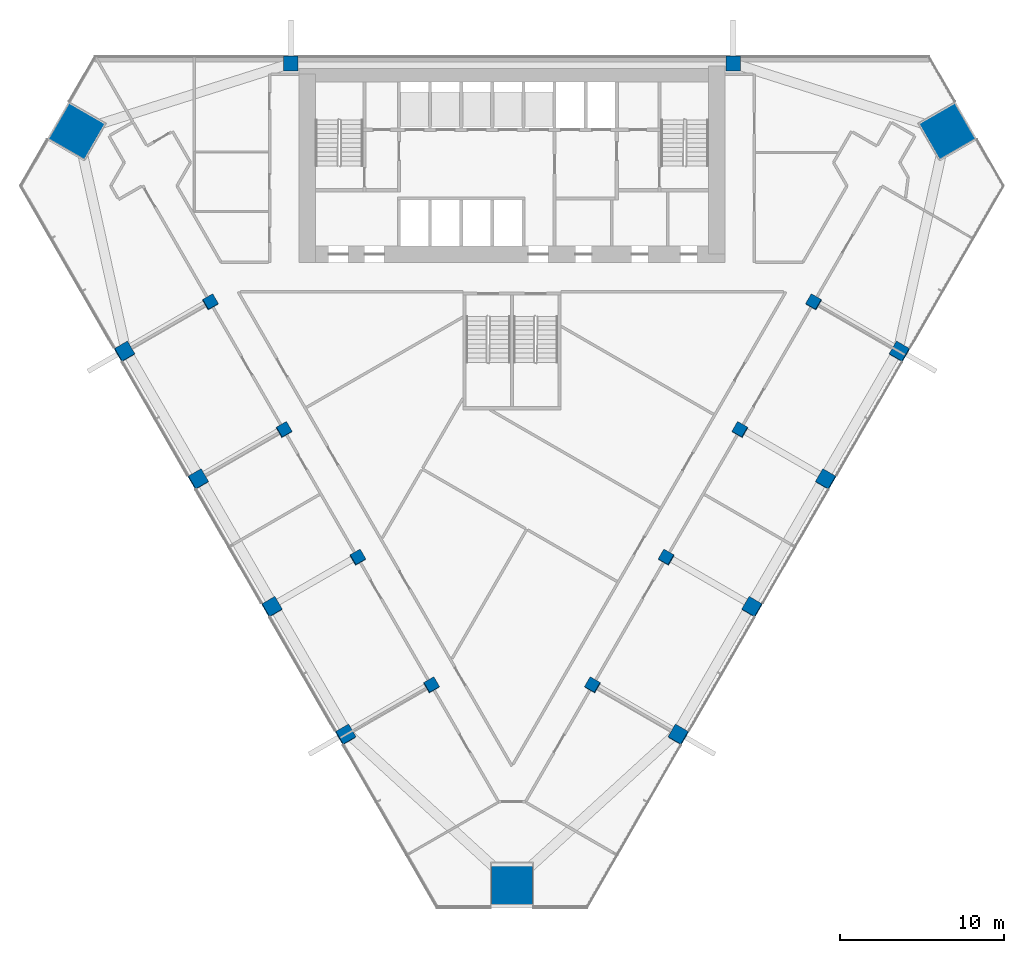
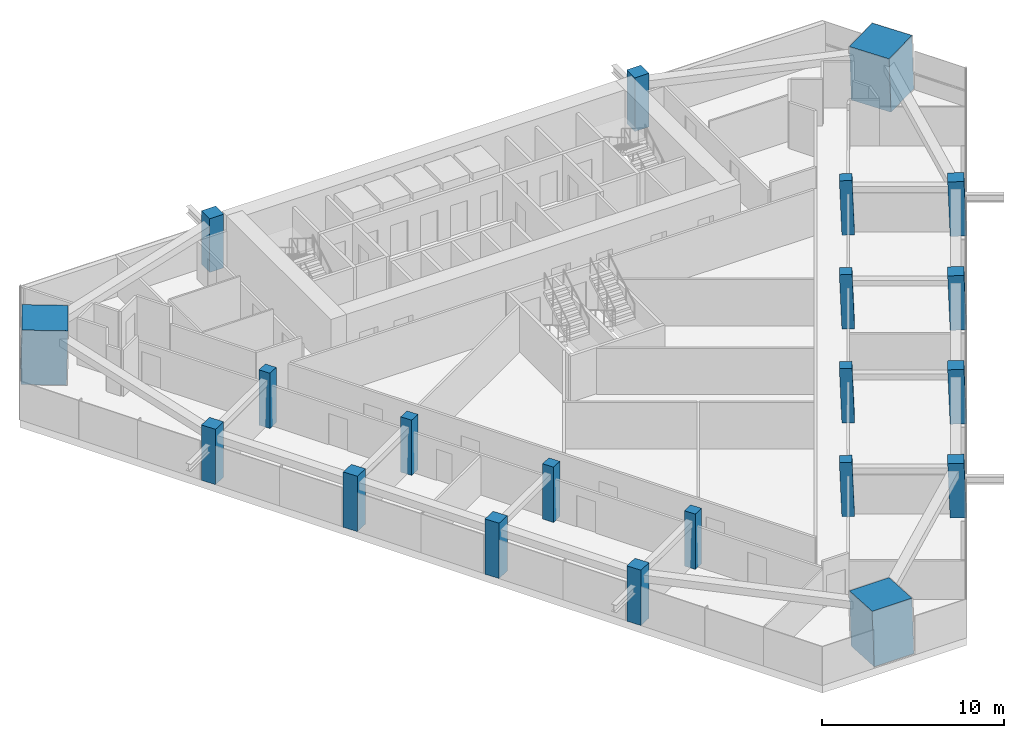
# One storey, part 1 of 13: 21 columns.
"""IFC4 building model written with IfcOpenShell, lengths in metres."""

from ifc_helpers import new_model, si_unit, direction, frame, origin, origin_2d, place, context, subcontext, project, spatial, rectangle, extrude, material, material_profile, profile_set, type_object, element, save


model = new_model("IFC4")

# Units and contexts
model_context = context("Model", 3, precision=1e-05, world=origin(), true_north=direction((0.0, 1.0)))
body_context = subcontext(model_context, "Body", "Model", "MODEL_VIEW")
ifc_project = project(units=[si_unit("LENGTHUNIT", "METRE"), si_unit("AREAUNIT", "SQUARE_METRE"), si_unit("VOLUMEUNIT", "CUBIC_METRE"), si_unit("PLANEANGLEUNIT", "RADIAN"), si_unit("MASSUNIT", "GRAM", prefix="KILO")], contexts=[model_context])

# Site, building, storey
site_placement = place(None, origin())
site = spatial("IfcSite", under=ifc_project, at=site_placement, CompositionType="ELEMENT")
building_placement = place(site_placement, origin())
building = spatial("IfcBuilding", under=site, at=building_placement, Name="Altiplano Prism Tower", CompositionType="ELEMENT")
storey_placement = place(building_placement, frame((0.0, 0.0, 66.60009765625)))
storey = spatial("IfcBuildingStorey", under=building, at=storey_placement, Name="L16", CompositionType="ELEMENT", Elevation=66.60009765625)

# Columns
ifc_material_1 = material(Name="Concrete C60/75", Category="concrete")
ifc_material_profile_1 = material_profile(ifc_material_1, rectangle(XDim=0.699951171875, YDim=0.699951171875, at=origin_2d()), Name="Inner column 700")
ifc_profile_set_1 = profile_set([ifc_material_profile_1], Name="Concrete C60/75")
column_type_1 = type_object("IfcColumnType", Name="Inner column 700", PredefinedType="COLUMN", material=ifc_profile_set_1)
for number, where, z_axis, x_axis, name in (
    (1, (66.572021484375, 89.964599609375, -0.021240234375), (0.022222910879, 0.038415824599, 0.999014697916), (-0.866023990094, -0.498523047361, 0.038434617606), "Inner column I11 L16"),
    (2, (71.072021484375, 82.17041015625, -0.021240234375), (0.022222910879, 0.038415824599, 0.999014697916), (-0.866025559342, -0.498520326662, 0.038434547893), "Inner column I12 L16"),
    (3, (75.572021484375, 74.3759765625, -0.021240234375), (0.022222852987, 0.038483477124, 0.999012095419), (-0.865639369566, -0.499186691601, 0.038485436015), "Inner column I13 L16"),
    (4, (80.072021484375, 66.581787109375, -0.021240234375), (0.022222852987, 0.038483477124, 0.999012095419), (-0.865640923447, -0.499184002329, 0.038485366986), "Inner column I14 L16"),
    (5, (89.927978515625, 66.581787109375, -0.021240234375), (-0.022222852987, 0.038483477124, 0.999012095419), (-0.500171906906, -0.865641007466, 0.022219579978), "Inner column I21 L16"),
    (6, (94.427978515625, 74.3759765625, -0.021240234375), (-0.022222852987, 0.038483477124, 0.999012095419), (-0.500174596178, -0.865639456654, 0.022219460416), "Inner column I22 L16"),
    (7, (98.927978515625, 82.17041015625, -0.021240234375), (-0.022222910879, 0.038415824599, 0.999014697916), (-0.499505628395, -0.866026390086, 0.022190513195), "Inner column I23 L16"),
    (8, (103.427978515625, 89.964599609375, -0.021240234375), (-0.022222910879, 0.038415824599, 0.999014697916), (-0.499508318862, -0.866024841336, 0.022190393791), "Inner column I24 L16"),
):
    element("IfcColumn", number, at=place(storey_placement, frame(where, z_axis=z_axis, x_axis=x_axis)), inside=storey, type_object=column_type_1, Name=name, PredefinedType="COLUMN", context=body_context, shape_type="SweptSolid", body=[
        extrude(rectangle(XDim=0.699951171875, YDim=0.699951171875, at=origin_2d()), origin(), (0.0, 0.0, 1.0), 3.603515625),
    ])
ifc_material_2 = material(Name="Concrete C70/85", Category="concrete")
ifc_material_profile_2 = material_profile(ifc_material_2, rectangle(XDim=2.52001953125, YDim=2.52001953125, at=origin_2d()), Name="Mega column infill 2600")
ifc_profile_set_2 = profile_set([ifc_material_profile_2], Name="Concrete C70/85")
column_type_2 = type_object("IfcColumnType", Name="Mega column infill 2600", PredefinedType="COLUMN", material=ifc_profile_set_2)
column_1_placement = place(storey_placement, frame((58.37744140625, 100.386474609375, 0.0), z_axis=(0.028403721265, 0.009287135593, 0.999553389135), x_axis=(-0.866201912335, 0.499294738625, 0.019975260907)))
element("IfcColumn", 9, at=column_1_placement, inside=storey, type_object=column_type_2, Name="Mega column M0 L16", PredefinedType="COLUMN", context=body_context, shape_type="SweptSolid", body=[
    extrude(rectangle(XDim=2.52001953125, YDim=2.52001953125, at=origin_2d()), origin(), (0.0, 0.0, 1.0), 3.6015625),
])
column_2_placement = place(storey_placement, frame((85.0, 54.275146484375, 0.0), z_axis=(0.0, 0.058293378456, 0.998299495156), x_axis=(-1.0, 0.0, 0.0)))
element("IfcColumn", 10, at=column_2_placement, inside=storey, type_object=column_type_2, Name="Mega column M1 L16", PredefinedType="COLUMN", context=body_context, shape_type="SweptSolid", body=[
    extrude(rectangle(XDim=2.52001953125, YDim=2.52001953125, at=origin_2d()), origin(), (0.0, 0.0, 1.0), 3.60595703125),
])
column_3_placement = place(storey_placement, frame((111.62255859375, 100.386474609375, 0.0), z_axis=(-0.028403721265, 0.009287135593, 0.999553389135), x_axis=(0.498883740729, -0.866383866755, 0.02222630567)))
element("IfcColumn", 11, at=column_3_placement, inside=storey, type_object=column_type_2, Name="Mega column M2 L16", PredefinedType="COLUMN", context=body_context, shape_type="SweptSolid", body=[
    extrude(rectangle(XDim=2.52001953125, YDim=2.52001953125, at=origin_2d()), origin(), (0.0, 0.0, 1.0), 3.6015625),
])
ifc_material_profile_3 = material_profile(ifc_material_1, rectangle(XDim=0.89990234375, YDim=0.89990234375, at=origin_2d()), Name="Perimeter column 900")
ifc_profile_set_3 = profile_set([ifc_material_profile_3], Name="Concrete C60/75")
column_type_3 = type_object("IfcColumnType", Name="Perimeter column 900", PredefinedType="COLUMN", material=ifc_profile_set_3)
for number, where, z_axis, x_axis, name in (
    (12, (98.5, 104.550048828125, 0.0), (0.0, 0.0, 1.0), (1.0, 0.0, 0.0), "Perimeter column P01 L16"),
    (13, (71.5, 104.550048828125, 0.0), (0.0, 0.0, 1.0), (1.0, 0.0, 0.0), "Perimeter column P04 L16"),
):
    element("IfcColumn", number, at=place(storey_placement, frame(where, z_axis=z_axis, x_axis=x_axis)), inside=storey, type_object=column_type_3, Name=name, PredefinedType="COLUMN", context=body_context, shape_type="SweptSolid", body=[
        extrude(rectangle(XDim=0.89990234375, YDim=0.89990234375, at=origin_2d()), origin(), (0.0, 0.0, 1.0), 3.599853515625),
    ])
for number, where, z_axis, x_axis, name in (
    (14, (61.33251953125, 86.939208984375, -0.02734375), (0.022155133694, 0.038483534979, 0.999013597298), (-0.864982365973, -0.50032653087, 0.038456066681), "Perimeter column P11 L16"),
    (15, (65.83251953125, 79.14501953125, -0.02734375), (0.022155133694, 0.038483534979, 0.999013597298), (-0.864983914641, -0.500323858739, 0.038455998091), "Perimeter column P12 L16"),
    (16, (70.33251953125, 71.350830078125, -0.02734375), (0.022155133694, 0.038483534979, 0.999013597298), (-0.864979688594, -0.500331150474, 0.038456185259), "Perimeter column P13 L16"),
    (17, (74.83251953125, 63.556640625, -0.02734375), (0.02215519141, 0.038415882353, 0.999016199807), (-0.865363503197, -0.49967092608, 0.038405376781), "Perimeter column P14 L16"),
    (18, (95.16748046875, 63.556640625, -0.02734375), (-0.02215519141, 0.038415882353, 0.999016199807), (-0.500654726162, -0.865363036889, 0.022173397522), "Perimeter column P21 L16"),
    (19, (99.66748046875, 71.350830078125, -0.02734375), (-0.022155133694, 0.038483534979, 0.999013597298), (-0.501317552426, -0.864978472218, 0.022202572572), "Perimeter column P22 L16"),
    (20, (104.16748046875, 79.14501953125, -0.02734375), (-0.022155133694, 0.038483534979, 0.999013597298), (-0.501310260681, -0.864982689949, 0.022202896755), "Perimeter column P23 L16"),
    (21, (108.66748046875, 86.939208984375, -0.02734375), (-0.022155133694, 0.038483534979, 0.999013597298), (-0.501312932815, -0.864981144328, 0.022202777955), "Perimeter column P24 L16"),
):
    element("IfcColumn", number, at=place(storey_placement, frame(where, z_axis=z_axis, x_axis=x_axis)), inside=storey, type_object=column_type_3, Name=name, PredefinedType="COLUMN", context=body_context, shape_type="SweptSolid", body=[
        extrude(rectangle(XDim=0.89990234375, YDim=0.89990234375, at=origin_2d()), origin(), (0.0, 0.0, 1.0), 3.603515625),
    ])

save(model, "model.ifc")
